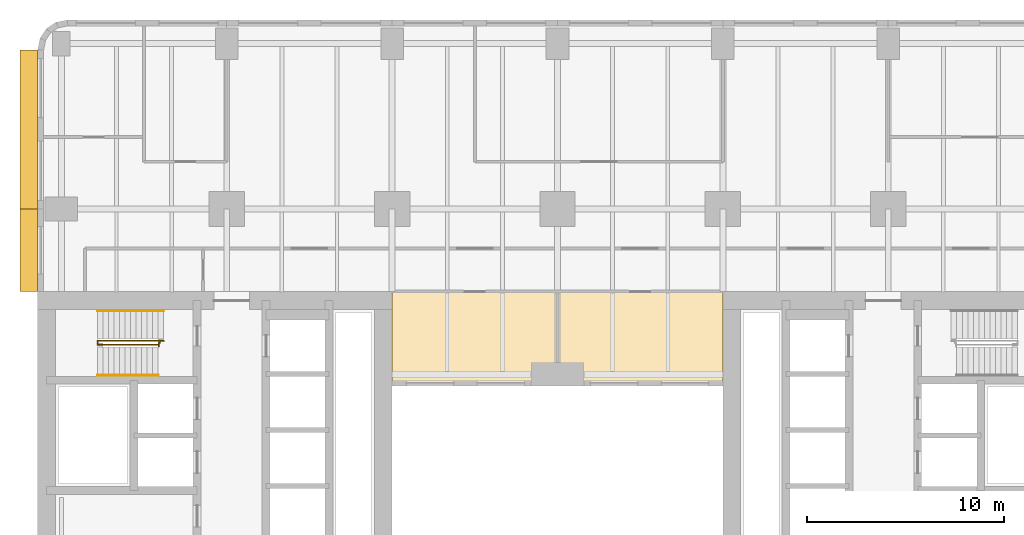
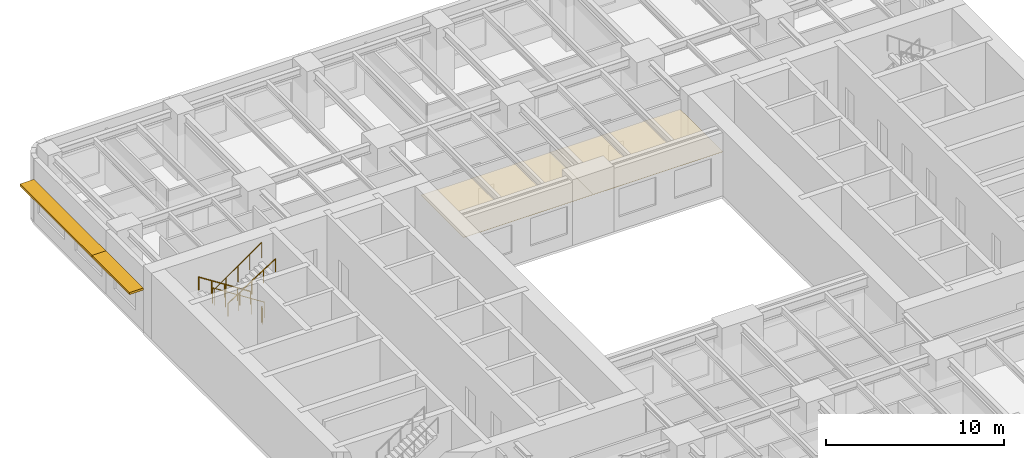
# One storey, part 12 of 14: 4 railings, 2 coverings, 2 shading devices.
"""IFC4 building model written with IfcOpenShell, lengths in metres."""

from ifc_helpers import new_model, si_unit, direction, frame, origin, origin_2d, place, context, subcontext, project, spatial, polyline, rectangle, circle, outline, extrude, material, layer, layer_set, type_object, element, save


model = new_model("IFC4")

# Units and contexts
model_context = context("Model", 3, precision=1e-05, world=origin(), true_north=direction((0.0, 1.0)))
body_context = subcontext(model_context, "Body", "Model", "MODEL_VIEW")
ifc_project = project(units=[si_unit("LENGTHUNIT", "METRE"), si_unit("AREAUNIT", "SQUARE_METRE"), si_unit("VOLUMEUNIT", "CUBIC_METRE"), si_unit("PLANEANGLEUNIT", "RADIAN"), si_unit("MASSUNIT", "GRAM", prefix="KILO")], contexts=[model_context])

# Site, building, storey
site_placement = place(None, origin())
site = spatial("IfcSite", under=ifc_project, at=site_placement, CompositionType="ELEMENT")
building_placement = place(site_placement, origin())
building = spatial("IfcBuilding", under=site, at=building_placement, Name="Claustro Exchange Tower", CompositionType="ELEMENT")
storey_placement = place(building_placement, frame((0.0, 0.0, 54.89990234375)))
storey = spatial("IfcBuildingStorey", under=building, at=storey_placement, Name="L12", CompositionType="ELEMENT", Elevation=54.89990234375)

# Coverings
ifc_material_1 = material(Name="Gypsum board ceiling", Category="gypsum board")
ifc_layer_1 = layer(ifc_material_1, 0.02490234375)
ifc_layer_set_1 = layer_set([ifc_layer_1], Name="Gypsum board ceiling")
covering_type = type_object("IfcCoveringType", Name="CL2 plasterboard ceiling", PredefinedType="CEILING", material=ifc_layer_set_1)
covering_1_placement = place(storey_placement, frame((0.0, 0.0, 3.0)))
element("IfcCovering", 1, at=covering_1_placement, inside=storey, type_object=covering_type, Name="Ceiling CL2 L12-13", PredefinedType="CEILING", context=body_context, shape_type="SweptSolid", body=[
    extrude(outline(polyline([(16.800048828125, 33.0), (25.199951171875, 33.0), (25.199951171875, 37.800048828125), (16.800048828125, 37.800048828125), (16.800048828125, 33.0)])), origin(), (0.0, 0.0, 1.0), 0.025146484375),
])
covering_2_placement = place(storey_placement, frame((0.0, 0.0, 3.0)))
element("IfcCovering", 2, at=covering_2_placement, inside=storey, type_object=covering_type, Name="Ceiling CL2 L12-14", PredefinedType="CEILING", context=body_context, shape_type="SweptSolid", body=[
    extrude(outline(polyline([(33.60009765625, 33.0), (33.60009765625, 37.800048828125), (25.199951171875, 37.800048828125), (25.199951171875, 33.0), (33.60009765625, 33.0)])), origin(), (0.0, 0.0, 1.0), 0.025146484375),
])

# Railings
ifc_material_2 = material(Name="Steel balustrade, painted", Category="steel")
railing_type_1 = type_object("IfcRailingType", Name="GR2 1100 steel stair guard", PredefinedType="GUARDRAIL", material=ifc_material_2)
railing_1_placement = place(storey_placement, frame((5.199951171875, 35.300048828125, 0.18017578125)))
element("IfcRailing", 3, at=railing_1_placement, inside=storey, type_object=railing_type_1, Name="Stair well guard GR2 stair STWB L12", PredefinedType="GUARDRAIL", context=body_context, shape_type="SweptSolid", body=[
    extrude(circle(Radius=0.02392578125, at=origin_2d()), frame((0.0, 0.0, 1.076171875), z_axis=(-0.841178475377, 0.0, 0.540757591313), x_axis=(0.0, -1.0, 0.0)), (0.0, 0.0, 1.0), 3.994140625),
    extrude(circle(Radius=0.02392578125, at=origin_2d()), frame((-3.35986328125, 0.0, 3.23583984375), z_axis=(0.0, -1.0, 0.0), x_axis=(1.0, 0.0, 0.0)), (0.0, 0.0, 1.0), 0.199951171875),
    extrude(circle(Radius=0.02392578125, at=origin_2d()), frame((-3.35986328125, -0.199951171875, 3.23583984375), z_axis=(0.818728512145, 0.0, 0.574180828137), x_axis=(0.0, 1.0, 0.0)), (0.0, 0.0, 1.0), 3.76171875),
    extrude(circle(Radius=0.02099609375, at=origin_2d()), origin(), (0.0, 0.0, 1.0), 1.052001953125),
    extrude(circle(Radius=0.02099609375, at=origin_2d()), frame((-0.83984375, 0.0, 0.5400390625)), (0.0, 0.0, 1.0), 1.052001953125),
    extrude(circle(Radius=0.02099609375, at=origin_2d()), frame((-1.679931640625, 0.0, 1.080078125)), (0.0, 0.0, 1.0), 1.052001953125),
    extrude(circle(Radius=0.02099609375, at=origin_2d()), frame((-2.52001953125, 0.0, 1.619873046875)), (0.0, 0.0, 1.0), 1.052001953125),
    extrude(circle(Radius=0.02099609375, at=origin_2d()), frame((-3.35986328125, 0.0, 2.159912109375)), (0.0, 0.0, 1.0), 1.052001953125),
    extrude(circle(Radius=0.02099609375, at=origin_2d()), frame((-3.35986328125, -0.199951171875, 2.159912109375)), (0.0, 0.0, 1.0), 1.052001953125),
    extrude(circle(Radius=0.02099609375, at=origin_2d()), frame((-2.58984375, -0.199951171875, 2.699951171875)), (0.0, 0.0, 1.0), 1.052001953125),
    extrude(circle(Radius=0.02099609375, at=origin_2d()), frame((-1.81982421875, -0.199951171875, 3.23974609375)), (0.0, 0.0, 1.0), 1.052001953125),
    extrude(circle(Radius=0.02099609375, at=origin_2d()), frame((-1.050048828125, -0.199951171875, 3.77978515625)), (0.0, 0.0, 1.0), 1.052001953125),
    extrude(circle(Radius=0.02099609375, at=origin_2d()), frame((-0.280029296875, -0.199951171875, 4.31982421875)), (0.0, 0.0, 1.0), 1.052001953125),
])
railing_2_placement = place(storey_placement, frame((5.0, 35.22998046875, 0.0)))
element("IfcRailing", 4, at=railing_2_placement, inside=storey, type_object=railing_type_1, Name="Stair guard GR2 STWB L12", PredefinedType="GUARDRAIL", context=body_context, shape_type="SweptSolid", body=[
    extrude(circle(Radius=0.02392578125, at=origin_2d()), frame((0.0, 0.0, 1.076171875), z_axis=(0.0, -1.0, 0.0), x_axis=(1.0, 0.0, 0.0)), (0.0, 0.0, 1.0), 0.030029296875),
    extrude(circle(Radius=0.02392578125, at=origin_2d()), frame((0.0, -0.030029296875, 1.076171875), z_axis=(-1.0, 0.0, 0.0), x_axis=(0.0, -1.0, 0.0)), (0.0, 0.0, 1.0), 0.054931640625),
    extrude(circle(Radius=0.02392578125, at=origin_2d()), frame((-0.054931640625, -0.030029296875, 1.076171875), z_axis=(0.0, -1.0, 0.0), x_axis=(1.0, 0.0, 0.0)), (0.0, 0.0, 1.0), 0.179931640625),
    extrude(circle(Radius=0.02099609375, at=origin_2d()), origin(), (0.0, 0.0, 1.0), 1.052001953125),
    extrude(circle(Radius=0.02099609375, at=origin_2d()), frame((0.0, -0.030029296875, 0.0)), (0.0, 0.0, 1.0), 1.052001953125),
    extrude(circle(Radius=0.02099609375, at=origin_2d()), frame((-0.054931640625, -0.030029296875, 0.0)), (0.0, 0.0, 1.0), 1.052001953125),
    extrude(circle(Radius=0.02099609375, at=origin_2d()), frame((-0.054931640625, -0.2099609375, 0.0)), (0.0, 0.0, 1.0), 1.052001953125),
])
ifc_material_3 = material(Name="Stainless steel tube", Category="steel")
railing_type_2 = type_object("IfcRailingType", Name="HR1 900 stair handrail", PredefinedType="HANDRAIL", material=ifc_material_3)
railing_3_placement = place(storey_placement, frame((5.199951171875, 36.840087890625, 0.18017578125)))
element("IfcRailing", 5, at=railing_3_placement, inside=storey, type_object=railing_type_2, Name="Handrail HR1 stair STWB L12", PredefinedType="HANDRAIL", context=body_context, shape_type="SweptSolid", body=[
    extrude(circle(Radius=0.02392578125, at=origin_2d()), frame((0.0, 0.0, 0.8759765625), z_axis=(-0.841178475377, 0.0, 0.540757591313), x_axis=(0.0, -1.0, 0.0)), (0.0, 0.0, 1.0), 3.994140625),
    extrude(circle(Radius=0.02099609375, at=origin_2d()), origin(), (0.0, 0.0, 1.0), 0.851806640625),
    extrude(circle(Radius=0.02099609375, at=origin_2d()), frame((-0.83984375, 0.0, 0.5400390625)), (0.0, 0.0, 1.0), 0.851806640625),
    extrude(circle(Radius=0.02099609375, at=origin_2d()), frame((-1.679931640625, 0.0, 1.080078125)), (0.0, 0.0, 1.0), 0.851806640625),
    extrude(circle(Radius=0.02099609375, at=origin_2d()), frame((-2.52001953125, 0.0, 1.619873046875)), (0.0, 0.0, 1.0), 0.851806640625),
    extrude(circle(Radius=0.02099609375, at=origin_2d()), frame((-3.35986328125, 0.0, 2.159912109375)), (0.0, 0.0, 1.0), 0.851806640625),
])
railing_4_placement = place(storey_placement, frame((1.840087890625, 33.56005859375, 2.52001953125)))
element("IfcRailing", 6, at=railing_4_placement, inside=storey, type_object=railing_type_2, Name="Handrail HR1 stair STWB L12", PredefinedType="HANDRAIL", context=body_context, shape_type="SweptSolid", body=[
    extrude(circle(Radius=0.02392578125, at=origin_2d()), frame((0.0, 0.0, 0.8759765625), z_axis=(0.841167642724, 0.0, 0.540774441735), x_axis=(0.0, 1.0, 0.0)), (0.0, 0.0, 1.0), 3.661376953125),
    extrude(circle(Radius=0.02099609375, at=origin_2d()), origin(), (0.0, 0.0, 1.0), 0.851806640625),
    extrude(circle(Radius=0.02099609375, at=origin_2d()), frame((0.77001953125, 0.0, 0.4951171875)), (0.0, 0.0, 1.0), 0.851806640625),
    extrude(circle(Radius=0.02099609375, at=origin_2d()), frame((1.5400390625, 0.0, 0.989990234375)), (0.0, 0.0, 1.0), 0.851806640625),
    extrude(circle(Radius=0.02099609375, at=origin_2d()), frame((2.309814453125, 0.0, 1.48486328125)), (0.0, 0.0, 1.0), 0.851806640625),
    extrude(circle(Radius=0.02099609375, at=origin_2d()), frame((3.079833984375, 0.0, 1.97998046875)), (0.0, 0.0, 1.0), 0.851806640625),
])

# Shading devices
ifc_material_4 = material(Name="Concrete HA-40 (C40/50), precast, white cement, acid-etched", Category="concrete")
ifc_layer_2 = layer(ifc_material_4, 0.14990234375)
ifc_layer_set_2 = layer_set([ifc_layer_2], Name="Concrete HA-40 (C40/50), precast, white cement, acid-etched")
shading_device_type = type_object("IfcShadingDeviceType", Name="SS2 900 precast concrete SUNSHADE", PredefinedType="SHUTTER", material=ifc_layer_set_2)
shading_device_1_placement = place(storey_placement, frame((-1.64990234375, 39.89990234375, 2.800048828125), z_axis=(0.0, 0.0, 1.0), x_axis=(0.0, 1.0, 0.0)))
element("IfcShadingDevice", 7, at=shading_device_1_placement, inside=storey, type_object=shading_device_type, Name="Precast SUNSHADE SS2 L12", PredefinedType="SHUTTER", context=body_context, shape_type="SweptSolid", body=[
    extrude(rectangle(XDim=4.199951171875, YDim=0.89990234375, at=origin_2d()), origin(), (0.0, 0.0, 1.0), 0.14990234375),
])
shading_device_2_placement = place(storey_placement, frame((-1.64990234375, 46.04248046875, 2.800048828125), z_axis=(0.0, 0.0, 1.0), x_axis=(0.0, 1.0, 0.0)))
element("IfcShadingDevice", 8, at=shading_device_2_placement, inside=storey, type_object=shading_device_type, Name="Precast SUNSHADE SS2 L12", PredefinedType="SHUTTER", context=body_context, shape_type="SweptSolid", body=[
    extrude(rectangle(XDim=8.085205078125, YDim=0.89990234375, at=origin_2d()), origin(), (0.0, 0.0, 1.0), 0.14990234375),
])

save(model, "model.ifc")
